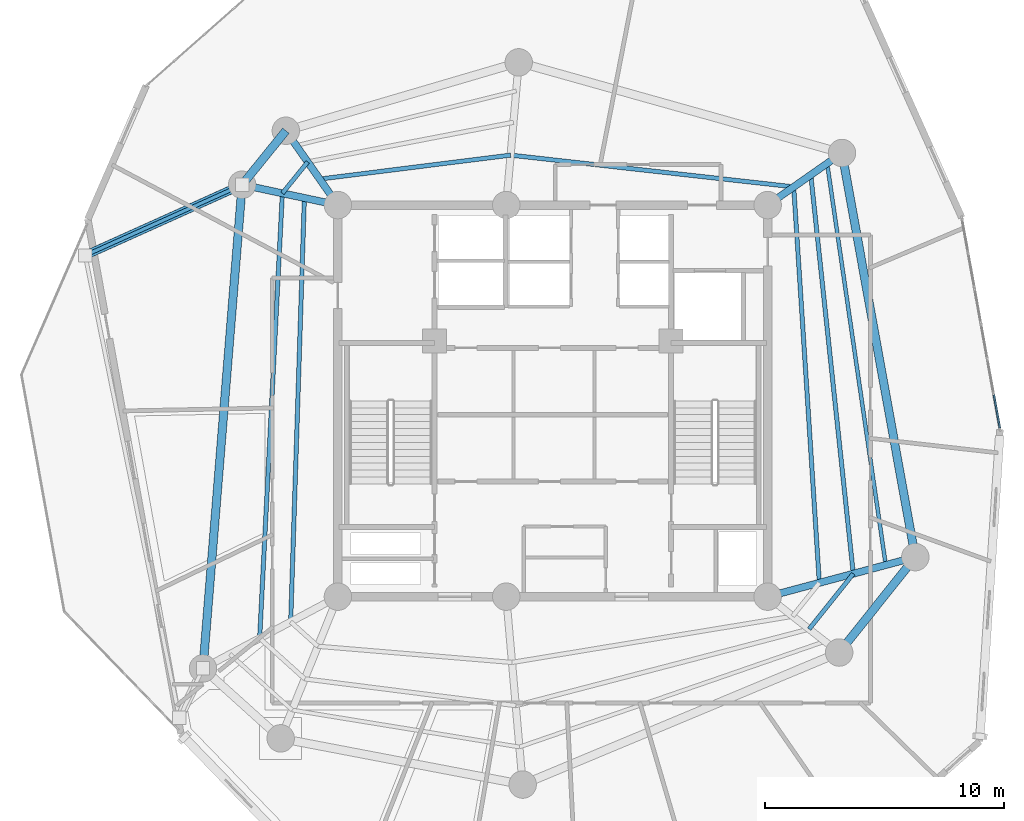
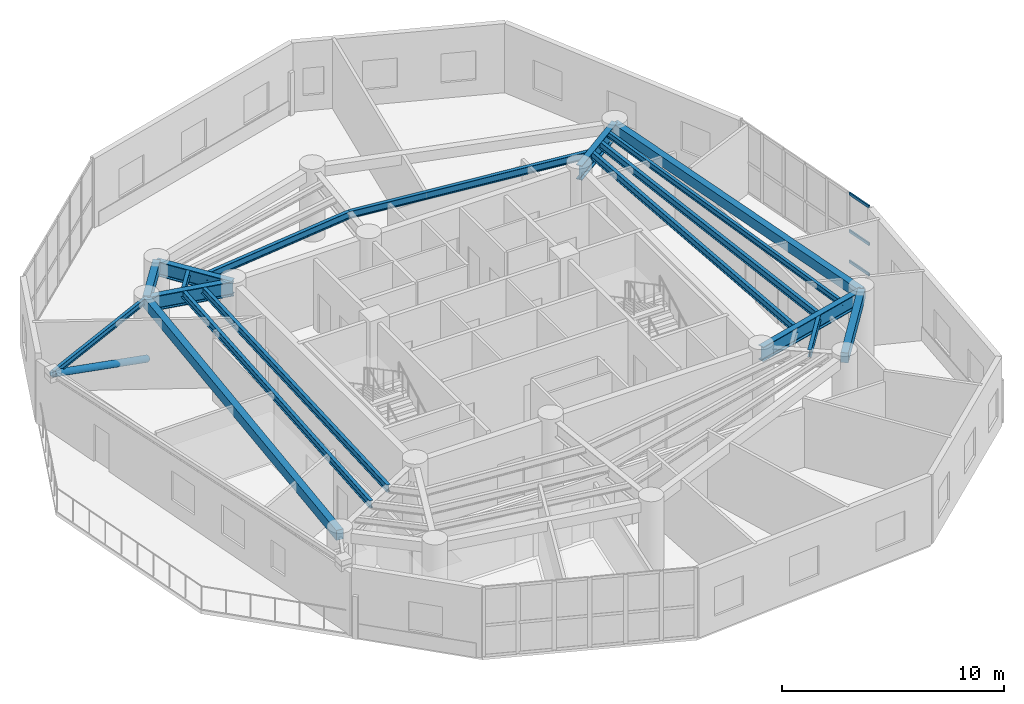
# One storey, part 3 of 12: 18 beams, 4 members, 1 element without a shape of its own.
"""IFC4 building model written with IfcOpenShell, lengths in metres."""

from ifc_helpers import new_model, si_unit, direction, frame, origin, origin_with_axes, origin_2d, place, context, subcontext, project, spatial, rectangle, hollow_circle, i_section, extrude, source, transform, mapped, material, layer, layer_set, material_profile, profile_set, type_object, element, aggregate, save


model = new_model("IFC4")

# Units and contexts
model_context = context("Model", 3, precision=1e-05, world=origin(), true_north=direction((0.0, 1.0)))
body_context = subcontext(model_context, "Body", "Model", "MODEL_VIEW")
ifc_project = project(units=[si_unit("LENGTHUNIT", "METRE"), si_unit("AREAUNIT", "SQUARE_METRE"), si_unit("VOLUMEUNIT", "CUBIC_METRE"), si_unit("PLANEANGLEUNIT", "RADIAN"), si_unit("MASSUNIT", "GRAM", prefix="KILO")], contexts=[model_context])

# Site, building, storey
site_placement = place(None, origin())
site = spatial("IfcSite", under=ifc_project, at=site_placement, CompositionType="ELEMENT")
building_placement = place(site_placement, origin())
building = spatial("IfcBuilding", under=site, at=building_placement, Name="Karkom Vertical University and Central Library", CompositionType="ELEMENT")
storey_placement = place(building_placement, frame((0.0, 0.0, 212.89990234375)))
storey = spatial("IfcBuildingStorey", under=building, at=storey_placement, Name="L62", CompositionType="ELEMENT", Elevation=212.89990234375)

# Beams
ifc_material_1 = material(Name="Steel S355", Category="steel")
ifc_material_profile_1 = material_profile(ifc_material_1, i_section(OverallWidth=0.300048828125, OverallDepth=0.800048828125, WebThickness=0.017578125, FlangeThickness=0.032958984375, FilletRadius=0.030029296875, at=origin_2d()), Name="HE 800 B")
ifc_profile_set_1 = profile_set([ifc_material_profile_1], Name="Steel S355")
beam_type_1 = type_object("IfcBeamType", Name="STR-BM-SB-HE800", PredefinedType="USERDEFINED", material=ifc_profile_set_1)
shared_shape_1 = source(origin_with_axes(), body_context, "Body", "SweptSolid", [
    extrude(i_section(OverallWidth=0.300048828125, OverallDepth=0.800048828125, WebThickness=0.017578125, FlangeThickness=0.032958984375, FilletRadius=0.030029296875, at=origin_2d()), origin(), (0.0, 0.0, 1.0), 6.39990234375),
])
beam_1_placement = place(storey_placement, frame((37.5, 18.300048828125, 3.400146484375), z_axis=(0.965942432948, 0.258757060254, 0.0), x_axis=(-0.258757060254, 0.965942432948, 0.0)))
element("IfcBeam", 1, at=beam_1_placement, inside=storey, type_object=beam_type_1, Name="Level 62 Radial Frame Girder 01", ObjectType="GIRDER", PredefinedType="USERDEFINED", context=body_context, shape_type="MappedRepresentation", body=[
    mapped(shared_shape_1, transform((0.0, 0.0, 0.0), scale=1.0)),
])
shared_shape_2 = source(origin_with_axes(), body_context, "Body", "SweptSolid", [
    extrude(i_section(OverallWidth=0.300048828125, OverallDepth=0.800048828125, WebThickness=0.017578125, FlangeThickness=0.032958984375, FilletRadius=0.030029296875, at=origin_2d()), origin(), (0.0, 0.0, 1.0), 3.80029296875),
])
for number, where, z_axis, x_axis, name in (
    (2, (37.5, 34.699951171875, 3.400146484375), (0.819132313625, 0.573604613627, 0.0), (-0.573604613627, 0.819132313625, 0.0), "Level 62 Radial Frame Girder 02"),
    (3, (19.5, 34.699951171875, 3.400146484375), (-0.573604613627, 0.819132313625, 0.0), (-0.819132313625, -0.573604613627, 0.0), "Level 62 Radial Frame Girder 04"),
):
    element("IfcBeam", number, at=place(storey_placement, frame(where, z_axis=z_axis, x_axis=x_axis)), inside=storey, type_object=beam_type_1, Name=name, ObjectType="GIRDER", PredefinedType="USERDEFINED", context=body_context, shape_type="MappedRepresentation", body=[
        mapped(shared_shape_2, transform((0.0, 0.0, 0.0), scale=1.0)),
    ])
shared_shape_3 = source(origin_with_axes(), body_context, "Body", "SweptSolid", [
    extrude(i_section(OverallWidth=0.300048828125, OverallDepth=0.800048828125, WebThickness=0.017578125, FlangeThickness=0.032958984375, FilletRadius=0.030029296875, at=origin_2d()), origin(), (0.0, 0.0, 1.0), 4.099609375),
])
beam_2_placement = place(storey_placement, frame((19.5, 34.699951171875, 3.400146484375), z_axis=(-0.978162634602, 0.207840949453, 0.0), x_axis=(-0.207840949453, -0.978162634602, 0.0)))
element("IfcBeam", 4, at=beam_2_placement, inside=storey, type_object=beam_type_1, Name="Level 62 Radial Frame Girder 05", ObjectType="GIRDER", PredefinedType="USERDEFINED", context=body_context, shape_type="MappedRepresentation", body=[
    mapped(shared_shape_3, transform((0.0, 0.0, 0.0), scale=1.0)),
])
ifc_material_2 = material(Name="Precast concrete C45/55", Category="concrete")
ifc_material_profile_2 = material_profile(ifc_material_2, rectangle(XDim=0.35009765625, YDim=0.550048828125, at=origin_2d()), Name="SPB-350x550")
ifc_profile_set_2 = profile_set([ifc_material_profile_2], Name="Precast concrete C45/55")
beam_type_2 = type_object("IfcBeamType", Name="STR-BM-SP-2", PredefinedType="SPANDREL", material=ifc_profile_set_2)
shared_shape_4 = source(origin_with_axes(), body_context, "Body", "SweptSolid", [
    extrude(rectangle(XDim=0.35009765625, YDim=0.550048828125, at=origin_2d()), origin(), (0.0, 0.0, 1.0), 17.19970703125),
])
beam_3_placement = place(storey_placement, frame((43.681884765625, 19.9560546875, 3.525146484375), z_axis=(-0.178423249727, 0.983953832228, 0.0), x_axis=(-0.983953832228, -0.178423249727, 0.0)))
element("IfcBeam", 5, at=beam_3_placement, inside=storey, type_object=beam_type_2, Name="Level 62 Perimeter Spandrel Beam 01", PredefinedType="SPANDREL", context=body_context, shape_type="MappedRepresentation", body=[
    mapped(shared_shape_4, transform((0.0, 0.0, 0.0), scale=1.0)),
])
shared_shape_5 = source(origin_with_axes(), body_context, "Body", "SweptSolid", [
    extrude(rectangle(XDim=0.35009765625, YDim=0.550048828125, at=origin_2d()), origin(), (0.0, 0.0, 1.0), 2.908935546875),
])
beam_4_placement = place(storey_placement, frame((17.320068359375, 37.81298828125, 3.525146484375), z_axis=(-0.629147523747, -0.777285914811, 0.0), x_axis=(0.777285914811, -0.629147523747, 0.0)))
element("IfcBeam", 6, at=beam_4_placement, inside=storey, type_object=beam_type_2, Name="Level 62 Perimeter Spandrel Beam 04", PredefinedType="SPANDREL", context=body_context, shape_type="MappedRepresentation", body=[
    mapped(shared_shape_5, transform((0.0, 0.0, 0.0), scale=1.0)),
])
shared_shape_6 = source(origin_with_axes(), body_context, "Body", "SweptSolid", [
    extrude(rectangle(XDim=0.35009765625, YDim=0.550048828125, at=origin_2d()), origin(), (0.0, 0.0, 1.0), 20.323486328125),
])
beam_5_placement = place(storey_placement, frame((15.489990234375, 35.552001953125, 3.525146484375), z_axis=(-0.080737811681, -0.996735373991, 0.0), x_axis=(0.996735373991, -0.080737811681, 0.0)))
element("IfcBeam", 7, at=beam_5_placement, inside=storey, type_object=beam_type_2, Name="Level 62 Perimeter Spandrel Beam 05", PredefinedType="SPANDREL", context=body_context, shape_type="MappedRepresentation", body=[
    mapped(shared_shape_6, transform((0.0, 0.0, 0.0), scale=1.0)),
])
shared_shape_7 = source(origin_with_axes(), body_context, "Body", "SweptSolid", [
    extrude(rectangle(XDim=0.35009765625, YDim=0.550048828125, at=origin_2d()), origin(), (0.0, 0.0, 1.0), 5.112060546875),
])
beam_6_placement = place(storey_placement, frame((40.493896484375, 15.9599609375, 3.525146484375), z_axis=(0.623634459503, 0.78171609995, 0.0), x_axis=(-0.78171609995, 0.623634459503, 0.0)))
element("IfcBeam", 8, at=beam_6_placement, inside=storey, type_object=beam_type_2, Name="Level 62 Perimeter Spandrel Beam 09", PredefinedType="SPANDREL", context=body_context, shape_type="MappedRepresentation", body=[
    mapped(shared_shape_7, transform((0.0, 0.0, 0.0), scale=1.0)),
])
ifc_material_profile_3 = material_profile(ifc_material_1, i_section(OverallWidth=0.179931640625, OverallDepth=0.39990234375, WebThickness=0.008544921875, FlangeThickness=0.013427734375, FilletRadius=0.02099609375, at=origin_2d()), Name="IPE 400")
ifc_profile_set_3 = profile_set([ifc_material_profile_3], Name="Steel S355")
beam_type_3 = type_object("IfcBeamType", Name="STR-BM-SB-IPE400", PredefinedType="BEAM", material=ifc_profile_set_3)
shared_shape_8 = source(origin_with_axes(), body_context, "Body", "SweptSolid", [
    extrude(i_section(OverallWidth=0.179931640625, OverallDepth=0.39990234375, WebThickness=0.008544921875, FlangeThickness=0.013427734375, FilletRadius=0.02099609375, at=origin_2d()), origin(), (0.0, 0.0, 1.0), 16.617919921875),
])
beam_7_placement = place(storey_placement, frame((39.663818359375, 18.879638671875, 3.60009765625), z_axis=(-0.064641848008, 0.997908528617, 0.0), x_axis=(-0.997908528617, -0.064641848008, 0.0)))
element("IfcBeam", 9, at=beam_7_placement, inside=storey, type_object=beam_type_3, Name="Level 62 Secondary Composite Floor Beam 1.01", PredefinedType="BEAM", context=body_context, shape_type="MappedRepresentation", body=[
    mapped(shared_shape_8, transform((0.0, 0.0, 0.0), scale=1.0)),
])
shared_shape_9 = source(origin_with_axes(), body_context, "Body", "SweptSolid", [
    extrude(i_section(OverallWidth=0.179931640625, OverallDepth=0.39990234375, WebThickness=0.008544921875, FlangeThickness=0.013427734375, FilletRadius=0.02099609375, at=origin_2d()), origin(), (0.0, 0.0, 1.0), 11.9306640625),
])
beam_8_placement = place(storey_placement, frame((38.589599609375, 35.462890625, 3.60009765625), z_axis=(-0.993775454886, 0.11140172919, 0.0), x_axis=(-0.11140172919, -0.993775454886, 0.0)))
element("IfcBeam", 10, at=beam_8_placement, inside=storey, type_object=beam_type_3, Name="Level 62 Secondary Composite Floor Beam 1.02", PredefinedType="BEAM", context=body_context, shape_type="MappedRepresentation", body=[
    mapped(shared_shape_9, transform((0.0, 0.0, 0.0), scale=1.0)),
])
shared_shape_10 = source(origin_with_axes(), body_context, "Body", "SweptSolid", [
    extrude(i_section(OverallWidth=0.179931640625, OverallDepth=0.39990234375, WebThickness=0.008544921875, FlangeThickness=0.013427734375, FilletRadius=0.02099609375, at=origin_2d()), origin(), (0.0, 0.0, 1.0), 8.05859375),
])
beam_9_placement = place(storey_placement, frame((26.733154296875, 36.7919921875, 3.60009765625), z_axis=(-0.99223306826, -0.124392677646, 0.0), x_axis=(0.124392677646, -0.99223306826, 0.0)))
element("IfcBeam", 11, at=beam_9_placement, inside=storey, type_object=beam_type_3, Name="Level 62 Secondary Composite Floor Beam 1.03", PredefinedType="BEAM", context=body_context, shape_type="MappedRepresentation", body=[
    mapped(shared_shape_10, transform((0.0, 0.0, 0.0), scale=1.0)),
])
shared_shape_11 = source(origin_with_axes(), body_context, "Body", "SweptSolid", [
    extrude(i_section(OverallWidth=0.179931640625, OverallDepth=0.39990234375, WebThickness=0.008544921875, FlangeThickness=0.013427734375, FilletRadius=0.02099609375, at=origin_2d()), origin(), (0.0, 0.0, 1.0), 17.75927734375),
])
beam_10_placement = place(storey_placement, frame((18.096435546875, 34.998291015625, 3.60009765625), z_axis=(-0.032333437334, -0.999477137723, 0.0), x_axis=(0.999477137723, -0.032333437334, 0.0)))
element("IfcBeam", 12, at=beam_10_placement, inside=storey, type_object=beam_type_3, Name="Level 62 Secondary Composite Floor Beam 1.05", PredefinedType="BEAM", context=body_context, shape_type="MappedRepresentation", body=[
    mapped(shared_shape_11, transform((0.0, 0.0, 0.0), scale=1.0)),
])
shared_shape_12 = source(origin_with_axes(), body_context, "Body", "SweptSolid", [
    extrude(i_section(OverallWidth=0.179931640625, OverallDepth=0.39990234375, WebThickness=0.008544921875, FlangeThickness=0.013427734375, FilletRadius=0.02099609375, at=origin_2d()), origin(), (0.0, 0.0, 1.0), 16.79833984375),
])
beam_11_placement = place(storey_placement, frame((41.085693359375, 19.260498046875, 3.60009765625), z_axis=(-0.105978377704, 0.994368434464, 0.0), x_axis=(-0.994368434464, -0.105978377704, 0.0)))
element("IfcBeam", 13, at=beam_11_placement, inside=storey, type_object=beam_type_3, Name="Level 62 Secondary Composite Floor Beam 2.01", PredefinedType="BEAM", context=body_context, shape_type="MappedRepresentation", body=[
    mapped(shared_shape_12, transform((0.0, 0.0, 0.0), scale=1.0)),
])
shared_shape_13 = source(origin_with_axes(), body_context, "Body", "SweptSolid", [
    extrude(i_section(OverallWidth=0.179931640625, OverallDepth=0.39990234375, WebThickness=0.008544921875, FlangeThickness=0.013427734375, FilletRadius=0.02099609375, at=origin_2d()), origin(), (0.0, 0.0, 1.0), 1.68701171875),
])
beam_12_placement = place(storey_placement, frame((18.235595703125, 36.505615234375, 3.60009765625), z_axis=(-0.629044191861, -0.777369541908, 0.0), x_axis=(0.777369541908, -0.629044191861, 0.0)))
element("IfcBeam", 14, at=beam_12_placement, inside=storey, type_object=beam_type_3, Name="Level 62 Secondary Composite Floor Beam 2.04", PredefinedType="BEAM", context=body_context, shape_type="MappedRepresentation", body=[
    mapped(shared_shape_13, transform((0.0, 0.0, 0.0), scale=1.0)),
])
shared_shape_14 = source(origin_with_axes(), body_context, "Body", "SweptSolid", [
    extrude(i_section(OverallWidth=0.179931640625, OverallDepth=0.39990234375, WebThickness=0.008544921875, FlangeThickness=0.013427734375, FilletRadius=0.02099609375, at=origin_2d()), origin(), (0.0, 0.0, 1.0), 18.661376953125),
])
beam_13_placement = place(storey_placement, frame((17.17431640625, 35.194091796875, 3.60009765625), z_axis=(-0.051009656211, -0.998698160093, 0.0), x_axis=(0.998698160093, -0.051009656211, 0.0)))
element("IfcBeam", 15, at=beam_13_placement, inside=storey, type_object=beam_type_3, Name="Level 62 Secondary Composite Floor Beam 2.05", PredefinedType="BEAM", context=body_context, shape_type="MappedRepresentation", body=[
    mapped(shared_shape_14, transform((0.0, 0.0, 0.0), scale=1.0)),
])
shared_shape_15 = source(origin_with_axes(), body_context, "Body", "SweptSolid", [
    extrude(i_section(OverallWidth=0.179931640625, OverallDepth=0.39990234375, WebThickness=0.008544921875, FlangeThickness=0.013427734375, FilletRadius=0.02099609375, at=origin_2d()), origin(), (0.0, 0.0, 1.0), 2.96484375),
])
beam_14_placement = place(storey_placement, frame((39.236572265625, 16.94287109375, 3.60009765625), z_axis=(0.623670236397, 0.781687556657, 0.0), x_axis=(-0.781687556657, 0.623670236397, 0.0)))
element("IfcBeam", 16, at=beam_14_placement, inside=storey, type_object=beam_type_3, Name="Level 62 Secondary Composite Floor Beam 2.09", PredefinedType="BEAM", context=body_context, shape_type="MappedRepresentation", body=[
    mapped(shared_shape_15, transform((0.0, 0.0, 0.0), scale=1.0)),
])
ifc_material_profile_4 = material_profile(ifc_material_1, i_section(OverallWidth=0.159912109375, OverallDepth=0.330078125, WebThickness=0.007568359375, FlangeThickness=0.011474609375, FilletRadius=0.01806640625, at=origin_2d()), Name="IPE 330")
ifc_profile_set_4 = profile_set([ifc_material_profile_4], Name="Steel S355")
beam_type_4 = type_object("IfcBeamType", Name="STR-BM-SB-IPE330", PredefinedType="BEAM", material=ifc_profile_set_4)
shared_shape_16 = source(origin_with_axes(), body_context, "Body", "SweptSolid", [
    extrude(i_section(OverallWidth=0.159912109375, OverallDepth=0.330078125, WebThickness=0.007568359375, FlangeThickness=0.011474609375, FilletRadius=0.01806640625, at=origin_2d()), origin(), (0.0, 0.0, 1.0), 16.99755859375),
])
beam_15_placement = place(storey_placement, frame((42.445556640625, 19.624755859375, 3.635009765625), z_axis=(-0.144436985275, 0.98951400055, 0.0), x_axis=(-0.98951400055, -0.144436985275, 0.0)))
element("IfcBeam", 17, at=beam_15_placement, inside=storey, type_object=beam_type_4, Name="Level 62 Secondary Composite Floor Beam 3.01", PredefinedType="BEAM", context=body_context, shape_type="MappedRepresentation", body=[
    mapped(shared_shape_16, transform((0.0, 0.0, 0.0), scale=1.0)),
])
shared_shape_17 = source(origin_with_axes(), body_context, "Body", "SweptSolid", [
    extrude(i_section(OverallWidth=0.159912109375, OverallDepth=0.330078125, WebThickness=0.007568359375, FlangeThickness=0.011474609375, FilletRadius=0.01806640625, at=origin_2d()), origin(), (0.0, 0.0, 1.0), 7.21240234375),
])
beam_16_placement = place(storey_placement, frame((15.489990234375, 35.552001953125, 3.635009765625), z_axis=(-0.911846753002, -0.410530752855, 0.0), x_axis=(0.410530752855, -0.911846753002, 0.0)))
element("IfcBeam", 18, at=beam_16_placement, inside=storey, type_object=beam_type_4, Name="Level 62 Sky Garden Outrigger Support Beam 1", PredefinedType="BEAM", context=body_context, shape_type="MappedRepresentation", body=[
    mapped(shared_shape_17, transform((0.0, 0.0, 0.0), scale=1.0)),
])

# Member
ifc_material_profile_5 = material_profile(ifc_material_1, hollow_circle(Radius=0.177734375, WallThickness=0.01611328125, at=origin_2d()), Name="CHS 355.6x16")
ifc_profile_set_5 = profile_set([ifc_material_profile_5], Name="Steel S355")
member_type_1 = type_object("IfcMemberType", Name="STR-MEM-BR-3", PredefinedType="BRACE", material=ifc_profile_set_5)
shared_shape_18 = source(origin_with_axes(), body_context, "Body", "SweptSolid", [
    extrude(hollow_circle(Radius=0.177734375, WallThickness=0.01611328125, at=origin_2d()), origin(), (0.0, 0.0, 1.0), 7.92529296875),
])
member_1_placement = place(storey_placement, frame((15.489990234375, 35.552001953125, 0.35009765625), z_axis=(-0.829831878544, -0.373606096331, 0.414484665744), x_axis=(0.410530752855, -0.911846753002, 0.0)))
element("IfcMember", 19, at=member_1_placement, inside=storey, type_object=member_type_1, Name="Level 62 Sky Garden Knee Strut Brace 1", PredefinedType="BRACE", context=body_context, shape_type="MappedRepresentation", body=[
    mapped(shared_shape_18, transform((0.0, 0.0, 0.0), scale=1.0)),
])

# Curtain wall, members
ifc_material_3 = material(Name="Aluminium curtain-wall framing and low-E IGU", Category="aluminium")
ifc_layer = layer(ifc_material_3, 0.199951171875)
ifc_layer_set = layer_set([ifc_layer], Name="Aluminium curtain-wall framing and low-E IGU")
curtain_wall_type = type_object("IfcCurtainWallType", Name="ENV-CW-5", PredefinedType="USERDEFINED", material=ifc_layer_set)
curtain_wall_placement = place(storey_placement, origin())
curtain_wall = element("IfcCurtainWall", 20, at=curtain_wall_placement, inside=storey, type_object=curtain_wall_type, Name="Level 62 CW-5 Curtain Wall L62-CW5-06", ObjectType="UNITISED GLAZING", PredefinedType="USERDEFINED")
ifc_material_4 = material(Name="Anodised Aluminium 6063-T6", Category="aluminium")
ifc_material_profile_6 = material_profile(ifc_material_4, rectangle(XDim=0.070068359375, YDim=0.14990234375, at=origin_2d()), Name="ALU-T70x150")
ifc_profile_set_6 = profile_set([ifc_material_profile_6], Name="Anodised Aluminium 6063-T6")
member_type_2 = type_object("IfcMemberType", Name="ENV-MEM-ALU-T70x150", PredefinedType="USERDEFINED", material=ifc_profile_set_6)
shared_shape_19 = source(origin_with_axes(), body_context, "Body", "SweptSolid", [
    extrude(rectangle(XDim=0.070068359375, YDim=0.14990234375, at=origin_2d()), origin(), (0.0, 0.0, 1.0), 1.39892578125),
])
member_2_placement = place(storey_placement, frame((47.221435546875, 25.36767578125, 0.03515625), z_axis=(-0.177825709616, 0.984061998555, 0.0), x_axis=(-0.984061998555, -0.177825709616, 0.0)))
member_2 = element("IfcMember", 21, at=member_2_placement, type_object=member_type_2, Name="CW-5 transom 1.1", ObjectType="TRANSOM", PredefinedType="USERDEFINED", context=body_context, shape_type="MappedRepresentation", body=[
    mapped(shared_shape_19, transform((0.0, 0.0, 0.0), scale=1.0)),
])
member_3_placement = place(storey_placement, frame((47.221435546875, 25.36767578125, 1.710205078125), z_axis=(-0.177825709616, 0.984061998555, 0.0), x_axis=(-0.984061998555, -0.177825709616, 0.0)))
member_3 = element("IfcMember", 22, at=member_3_placement, type_object=member_type_2, Name="CW-5 transom 1.2", ObjectType="TRANSOM", PredefinedType="USERDEFINED", context=body_context, shape_type="MappedRepresentation", body=[
    mapped(shared_shape_19, transform((0.0, 0.0, 0.0), scale=1.0)),
])
member_4_placement = place(storey_placement, frame((47.221435546875, 25.36767578125, 3.76513671875), z_axis=(-0.177825709616, 0.984061998555, 0.0), x_axis=(-0.984061998555, -0.177825709616, 0.0)))
member_4 = element("IfcMember", 23, at=member_4_placement, type_object=member_type_2, Name="CW-5 transom 1.3", ObjectType="TRANSOM", PredefinedType="USERDEFINED", context=body_context, shape_type="MappedRepresentation", body=[
    mapped(shared_shape_19, transform((0.0, 0.0, 0.0), scale=1.0)),
])
aggregate(curtain_wall, [member_2, member_3, member_4])

save(model, "model.ifc")
